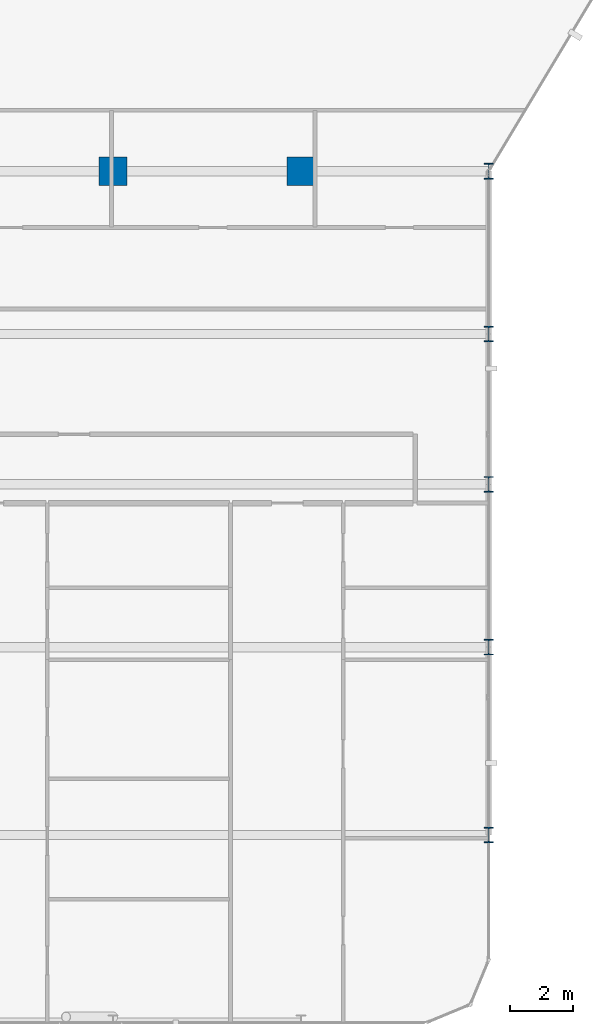
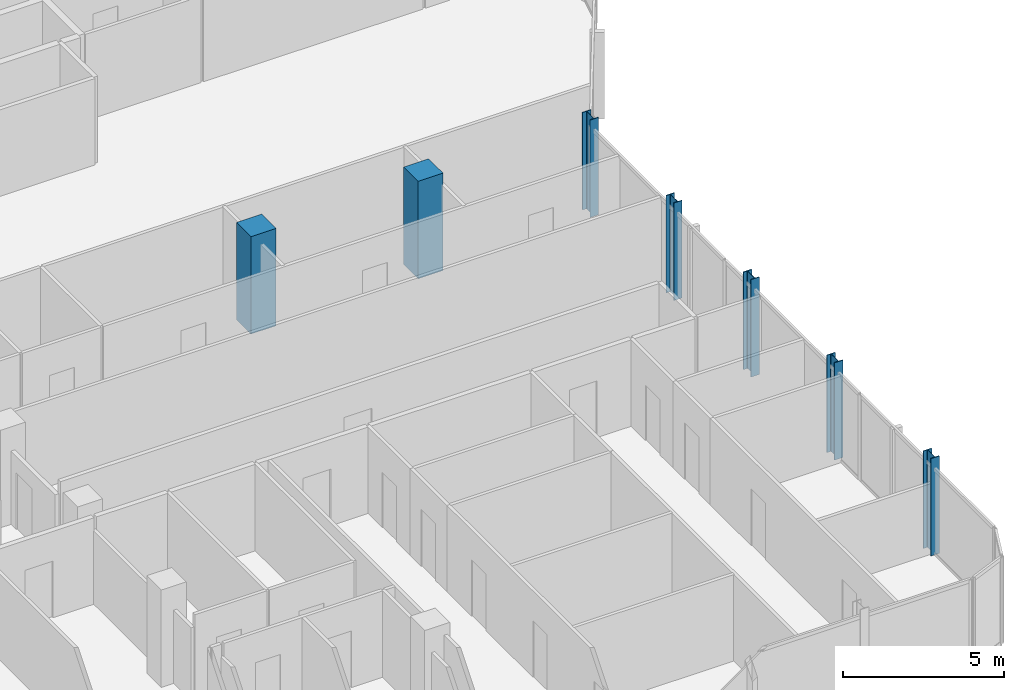
# One storey, part 2 of 31: 7 columns.
"""IFC4 building model written with IfcOpenShell, lengths in metres."""

from ifc_helpers import new_model, si_unit, direction, frame, origin, origin_2d, place, context, subcontext, project, spatial, rectangle, i_section, extrude, material, material_profile, profile_set, type_object, element, save


model = new_model("IFC4")

# Units and contexts
model_context = context("Model", 3, precision=1e-05, world=origin(), true_north=direction((0.0, 1.0)))
body_context = subcontext(model_context, "Body", "Model", "MODEL_VIEW")
ifc_project = project(units=[si_unit("LENGTHUNIT", "METRE"), si_unit("AREAUNIT", "SQUARE_METRE"), si_unit("VOLUMEUNIT", "CUBIC_METRE"), si_unit("PLANEANGLEUNIT", "RADIAN"), si_unit("MASSUNIT", "GRAM", prefix="KILO")], contexts=[model_context])

# Site, building, storey
site_placement = place(None, origin())
site = spatial("IfcSite", under=ifc_project, at=site_placement, CompositionType="ELEMENT")
building_placement = place(site_placement, origin())
building = spatial("IfcBuilding", under=site, at=building_placement, Name="Keshet Zoharim Tower", CompositionType="ELEMENT")
storey_placement = place(building_placement, frame((0.0, 0.0, 155.699951171875)))
storey = spatial("IfcBuildingStorey", under=building, at=storey_placement, Name="L38", CompositionType="ELEMENT", Elevation=155.699951171875)

# Columns
ifc_material_1 = material(Name="Steel S355", Category="steel")
ifc_material_profile_1 = material_profile(ifc_material_1, i_section(OverallWidth=0.300048828125, OverallDepth=0.5, WebThickness=0.014404296875, FlangeThickness=0.028076171875, FilletRadius=0.027099609375, at=origin_2d()), Name="HEB500")
ifc_profile_set_1 = profile_set([ifc_material_profile_1], Name="Steel S355")
column_type_1 = type_object("IfcColumnType", Name="COL-HEB500", PredefinedType="COLUMN", material=ifc_profile_set_1)
for number, where, z_axis, x_axis, name in (
    (1, (57.0, 6.699951171875, 0.0), (0.0, 0.0, 1.0), (1.0, 0.0, 0.0), "L38 Column 10B"),
    (2, (57.0, 12.699951171875, 0.0), (0.0, 0.0, 1.0), (1.0, 0.0, 0.0), "L38 Column 10C"),
    (3, (57.0, 17.89990234375, 0.0), (0.0, 0.0, 1.0), (1.0, 0.0, 0.0), "L38 Column 10D"),
    (4, (57.0, 22.699951171875, 0.0), (0.0, 0.0, 1.0), (1.0, 0.0, 0.0), "L38 Column 10E"),
    (5, (57.0, 27.89990234375, 0.0), (0.0, 0.0, 1.0), (1.0, 0.0, 0.0), "L38 Column 10F"),
):
    element("IfcColumn", number, at=place(storey_placement, frame(where, z_axis=z_axis, x_axis=x_axis)), inside=storey, type_object=column_type_1, Name=name, PredefinedType="COLUMN", context=body_context, shape_type="SweptSolid", body=[
        extrude(i_section(OverallWidth=0.300048828125, OverallDepth=0.5, WebThickness=0.014404296875, FlangeThickness=0.028076171875, FilletRadius=0.027099609375, at=origin_2d()), origin(), (0.0, 0.0, 1.0), 3.699951171875),
    ])
ifc_material_2 = material(Name="Concrete C60/75", Category="concrete")
ifc_material_profile_2 = material_profile(ifc_material_2, rectangle(XDim=0.89990234375, YDim=0.89990234375, at=origin_2d()), Name="RC900x900")
ifc_profile_set_2 = profile_set([ifc_material_profile_2], Name="Concrete C60/75")
column_type_2 = type_object("IfcColumnType", Name="COL-RC900", PredefinedType="COLUMN", material=ifc_profile_set_2)
for number, where, z_axis, x_axis, name in (
    (6, (45.0, 27.89990234375, 0.0), (0.0, 0.0, 1.0), (1.0, 0.0, 0.0), "L38 Column 8F"),
    (7, (51.0, 27.89990234375, 0.0), (0.0, 0.0, 1.0), (1.0, 0.0, 0.0), "L38 Column 9F"),
):
    element("IfcColumn", number, at=place(storey_placement, frame(where, z_axis=z_axis, x_axis=x_axis)), inside=storey, type_object=column_type_2, Name=name, PredefinedType="COLUMN", context=body_context, shape_type="SweptSolid", body=[
        extrude(rectangle(XDim=0.89990234375, YDim=0.89990234375, at=origin_2d()), origin(), (0.0, 0.0, 1.0), 3.699951171875),
    ])

save(model, "model.ifc")
